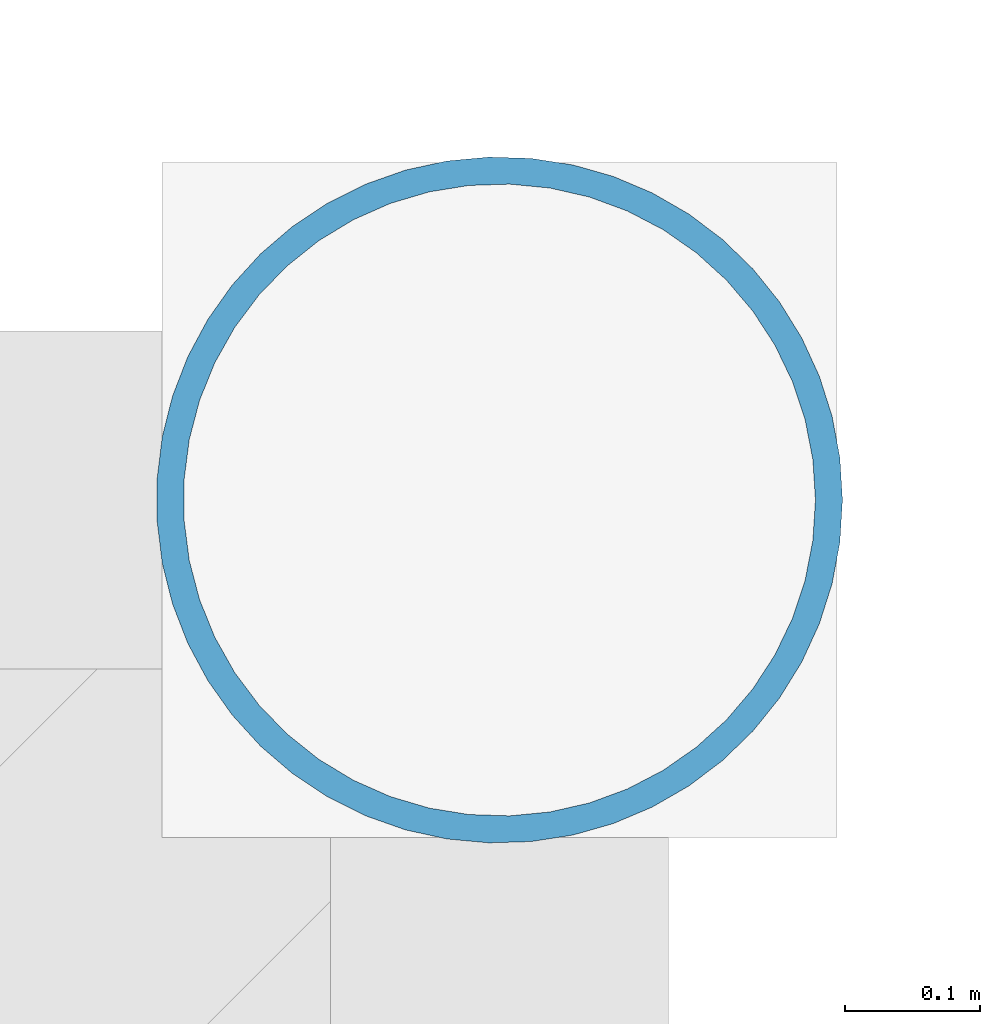
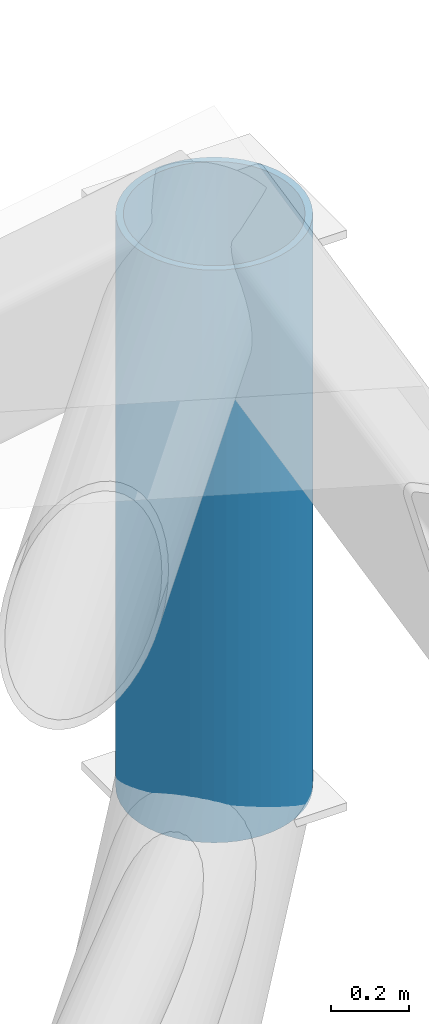
# One storey, part 95 of 137: 1 member.
"""IFC4 building model written with IfcOpenShell, lengths in metres."""

import ifcopenshell
import ifcopenshell.guid

model = None  # the IFC model being written
_history = None  # IfcOwnerHistory: only IFC2X3 demands one
_inside = {}  # id of a spatial element -> (the spatial element, [elements in it])
_under = {}  # id of a project, library or spatial element -> (it, [spatial elements below it])
_declared = {}  # id of a project -> (the project, [libraries it declares])
_typed = {}  # id of a type object -> (the type object, [elements of that type])
_made_of = {}  # id of a material, layer set ... -> (it, [elements and type objects made of it])


def new_model(schema):
    """Start an empty IFC model of exactly this schema.

    Asked for "IFC4X3", IfcOpenShell would pick the latest addendum, in which some entities
    have other attributes; the version numbers below select the first issue.
    IFC2X3 requires an IfcOwnerHistory on every rooted entity: one is made here for all.
    """
    global model, _history
    if schema == "IFC4X3":
        model = ifcopenshell.file(schema_version=(4, 3, 0, 0))
    else:
        model = ifcopenshell.file(schema=schema)
    _inside.clear()
    _under.clear()
    _declared.clear()
    _typed.clear()
    _made_of.clear()
    _history = None
    if model.schema == "IFC2X3":
        org = make("IfcOrganization", Name="unknown")
        user = make(
            "IfcPersonAndOrganization",
            ThePerson=make("IfcPerson", FamilyName="unknown"),
            TheOrganization=org,
        )
        app = make(
            "IfcApplication",
            ApplicationDeveloper=org,
            Version="unknown",
            ApplicationFullName="unknown",
            ApplicationIdentifier="unknown",
        )
        _history = make(
            "IfcOwnerHistory",
            OwningUser=user,
            OwningApplication=app,
            ChangeAction="ADDED",
            CreationDate=0,
        )
    return model


def make(cls, **values):
    """One entity of the class cls with the attributes given. An attribute that is None is left unset."""
    return model.create_entity(
        cls, **{name: value for name, value in values.items() if value is not None}
    )


def rooted(cls, **values):
    """An entity with a GlobalId (a new one), such as an element, a storey or a relation."""
    return make(cls, GlobalId=ifcopenshell.guid.new(), OwnerHistory=_history, **values)


def si_unit(unit_type, name, prefix=None):
    """IfcSIUnit, for example si_unit("LENGTHUNIT", "METRE", prefix="MILLI")."""
    return make("IfcSIUnit", UnitType=unit_type, Prefix=prefix, Name=name)


def assignment(units):
    """IfcUnitAssignment: the units of a project."""
    return None if units is None else make("IfcUnitAssignment", Units=units)


def point(xyz):
    """IfcCartesianPoint."""
    return None if xyz is None else make("IfcCartesianPoint", Coordinates=xyz)


def direction(xyz):
    """IfcDirection."""
    return None if xyz is None else make("IfcDirection", DirectionRatios=xyz)


def frame(location, z_axis=None, x_axis=None):
    """IfcAxis2Placement3D, a coordinate frame: its origin and axes. An axis left out is left unset."""
    return make(
        "IfcAxis2Placement3D",
        Location=point(location),
        Axis=direction(z_axis),
        RefDirection=direction(x_axis),
    )


def frame_2d(location, x_axis=None):
    """IfcAxis2Placement2D, a coordinate frame in the plane: its origin and x axis."""
    return make(
        "IfcAxis2Placement2D", Location=point(location), RefDirection=direction(x_axis)
    )


def origin():
    """The frame at (0, 0, 0) with its axes left unset."""
    return frame((0.0, 0.0, 0.0))


def origin_2d():
    """The frame at (0, 0) in the plane with its x axis left unset."""
    return frame_2d((0.0, 0.0))


def place(relative_to, where):
    """IfcLocalPlacement: puts the frame where relative to a parent placement (None: the world)."""
    return make(
        "IfcLocalPlacement", PlacementRelTo=relative_to, RelativePlacement=where
    )


def context(
    kind, dimensions, precision=None, world=None, true_north=None, identifier=None
):
    """IfcGeometricRepresentationContext, for example the 3D "Model" context."""
    return make(
        "IfcGeometricRepresentationContext",
        ContextIdentifier=identifier,
        ContextType=kind,
        CoordinateSpaceDimension=dimensions,
        Precision=precision,
        WorldCoordinateSystem=world,
        TrueNorth=true_north,
    )


def subcontext(parent, identifier, kind, view, scale=None):
    """IfcGeometricRepresentationSubContext, for example "Body" below "Model"."""
    return make(
        "IfcGeometricRepresentationSubContext",
        ContextIdentifier=identifier,
        ContextType=kind,
        ParentContext=parent,
        TargetScale=scale,
        TargetView=view,
    )


def project(units=None, contexts=None):
    """IfcProject with its units and contexts."""
    return rooted(
        "IfcProject",
        Name="project",
        RepresentationContexts=contexts,
        UnitsInContext=assignment(units),
    )


def spatial(cls, under=None, at=None, **own):
    """A site, building, storey or space (cls), placed at a placement, below another one or the project."""
    s = rooted(cls, ObjectPlacement=at, **own)
    if under is not None:
        _under.setdefault(under.id(), (under, []))[1].append(s)
    return s


def profile(cls, at=None, kind="AREA", **sizes):
    """A parametric profile (cls). Its sizes go by their IFC names, for example OverallWidth=200.0."""
    return make(cls, ProfileType=kind, Position=at, **sizes)


def hollow_circle(**sizes):
    """IfcCircleHollowProfileDef."""
    return profile("IfcCircleHollowProfileDef", **sizes)


def extrude(swept, where, along, depth):
    """IfcExtrudedAreaSolid: the profile swept, set in the frame where, extruded along a direction by depth."""
    return make(
        "IfcExtrudedAreaSolid",
        SweptArea=swept,
        Position=where,
        ExtrudedDirection=direction(along),
        Depth=depth,
    )


def shape(context_of_items, identifier, shape_type, items):
    """IfcShapeRepresentation: the items that make up one representation, for example the "Body"."""
    return make(
        "IfcShapeRepresentation",
        ContextOfItems=context_of_items,
        RepresentationIdentifier=identifier,
        RepresentationType=shape_type,
        Items=items,
    )


def material(Name=None, Category=None):
    """IfcMaterial."""
    return make("IfcMaterial", Name=Name, Category=Category)


def material_profile(
    of_material, cross_section, Name=None, Category=None, Priority=None
):
    """IfcMaterialProfile: a cross section and its material."""
    return make(
        "IfcMaterialProfile",
        Name=Name,
        Material=of_material,
        Profile=cross_section,
        Priority=Priority,
        Category=Category,
    )


def profile_set(profiles, Name=None, composite=None):
    """IfcMaterialProfileSet."""
    return make(
        "IfcMaterialProfileSet",
        Name=Name,
        MaterialProfiles=profiles,
        CompositeProfile=composite,
    )


def made_of(thing, what):
    """Note that an element or type object is made of a material, layer set ...; save() writes the relation."""
    if what is not None:
        _made_of.setdefault(what.id(), (what, []))[1].append(thing)
    return thing


def type_object(cls, material=None, **own):
    """A type object (cls), such as IfcWallType, which elements share."""
    return made_of(rooted(cls, **own), material)


def element(
    cls,
    number,
    at=None,
    inside=None,
    cuts=None,
    type_object=None,
    material=None,
    context=None,
    identifier="Body",
    shape_type=None,
    held_by="IfcProductDefinitionShape",
    body=None,
    shapes=None,
    **own,
):
    """One element of the class cls, such as IfcWall. Its Tag is "e" and its number.

    at: its placement. inside: the storey or other place that contains it. cuts: it is an
    opening in that element (IfcRelVoidsElement). A single representation is given by context,
    identifier, shape_type and body (its items); several are given by shapes. held_by: the class
    of the entity that holds the representations. save() writes the other relations.
    """
    e = rooted(cls, Tag="e%d" % number, ObjectPlacement=at, **own)
    if body is not None:
        shapes = [shape(context, identifier, shape_type, body)]
    if shapes is not None:
        e.Representation = make(held_by, Representations=shapes)
    if inside is not None:
        _inside.setdefault(inside.id(), (inside, []))[1].append(e)
    if cuts is not None:
        rooted(
            "IfcRelVoidsElement", RelatingBuildingElement=cuts, RelatedOpeningElement=e
        )
    if type_object is not None:
        _typed.setdefault(type_object.id(), (type_object, []))[1].append(e)
    return made_of(e, material)


def aggregate(whole, parts):
    """IfcRelAggregates: a whole, such as a stair, and the parts it consists of."""
    return rooted("IfcRelAggregates", RelatingObject=whole, RelatedObjects=parts)


def save(model, path):
    """Write the relations noted so far, then the file.

    IfcRelAggregates (storeys below a building ...), IfcRelContainedInSpatialStructure (elements
    in a storey), IfcRelDefinesByType, IfcRelAssociatesMaterial and IfcRelDeclares: one each for
    every whole, place, type object, material and project.
    """
    for whole, parts in _under.values():
        aggregate(whole, parts)
    for where, things in _inside.values():
        rooted(
            "IfcRelContainedInSpatialStructure",
            RelatedElements=things,
            RelatingStructure=where,
        )
    for kind, things in _typed.values():
        rooted("IfcRelDefinesByType", RelatedObjects=things, RelatingType=kind)
    for what, things in _made_of.values():
        rooted("IfcRelAssociatesMaterial", RelatedObjects=things, RelatingMaterial=what)
    for by, libraries in _declared.values():
        rooted("IfcRelDeclares", RelatingContext=by, RelatedDefinitions=libraries)
    model.write(path)


model = new_model("IFC4")

# Units and contexts
model_context = context("Model", 3, precision=1e-05, world=origin(), true_north=direction((0.0, 1.0)))
body_context = subcontext(model_context, "Body", "Model", "MODEL_VIEW")
ifc_project = project(units=[si_unit("LENGTHUNIT", "METRE"), si_unit("AREAUNIT", "SQUARE_METRE"), si_unit("VOLUMEUNIT", "CUBIC_METRE"), si_unit("PLANEANGLEUNIT", "RADIAN"), si_unit("MASSUNIT", "GRAM", prefix="KILO")], contexts=[model_context])

# Site, building, storey
site_placement = place(None, origin())
site = spatial("IfcSite", under=ifc_project, at=site_placement, CompositionType="ELEMENT")
building_placement = place(site_placement, origin())
building = spatial("IfcBuilding", under=site, at=building_placement, Name="Khorjan Park Terminus", CompositionType="ELEMENT")
storey_placement = place(building_placement, frame((0.0, 0.0, 11.4)))
storey = spatial("IfcBuildingStorey", under=building, at=storey_placement, Name="L02", CompositionType="ELEMENT", Elevation=11.4)

# Member
ifc_material = material(Name="Steel S355", Category="steel")
ifc_material_profile = material_profile(ifc_material, hollow_circle(Radius=0.254, WallThickness=0.02, at=origin_2d()), Name="CHS 508x20")
ifc_profile_set = profile_set([ifc_material_profile], Name="Steel S355")
member_type = type_object("IfcMemberType", Name="MB-STE-508", PredefinedType="STRUT", material=ifc_profile_set)
member_placement = place(storey_placement, frame((146.8, 98.8, 5.82), z_axis=(0.0, 0.0, 1.0), x_axis=(1.0, 0.0, 0.0)))
element("IfcMember", 1, at=member_placement, inside=storey, type_object=member_type, Name="Lower shell upturned corner tip post (NE)", PredefinedType="STRUT", context=body_context, shape_type="SweptSolid", body=[
    extrude(hollow_circle(Radius=0.254, WallThickness=0.02, at=origin_2d()), origin(), (0.0, 0.0, 1.0), 1.8),
])

save(model, "model.ifc")
